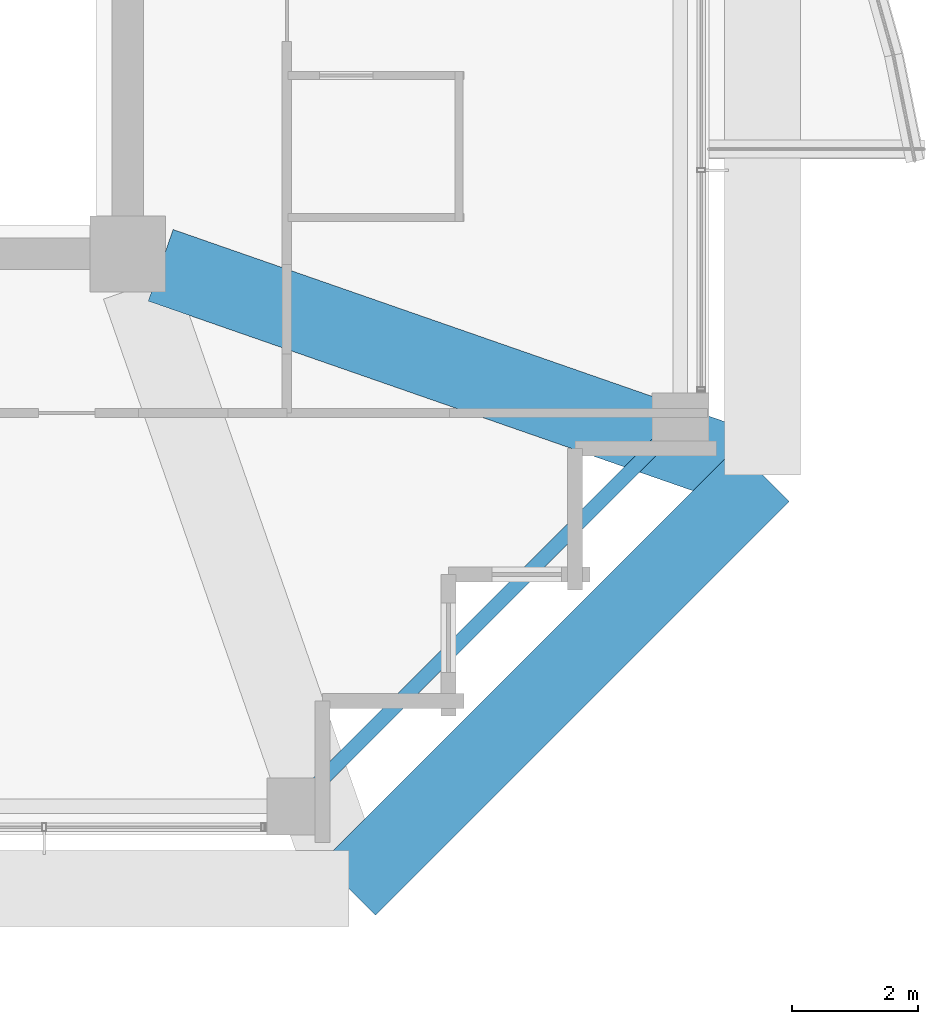
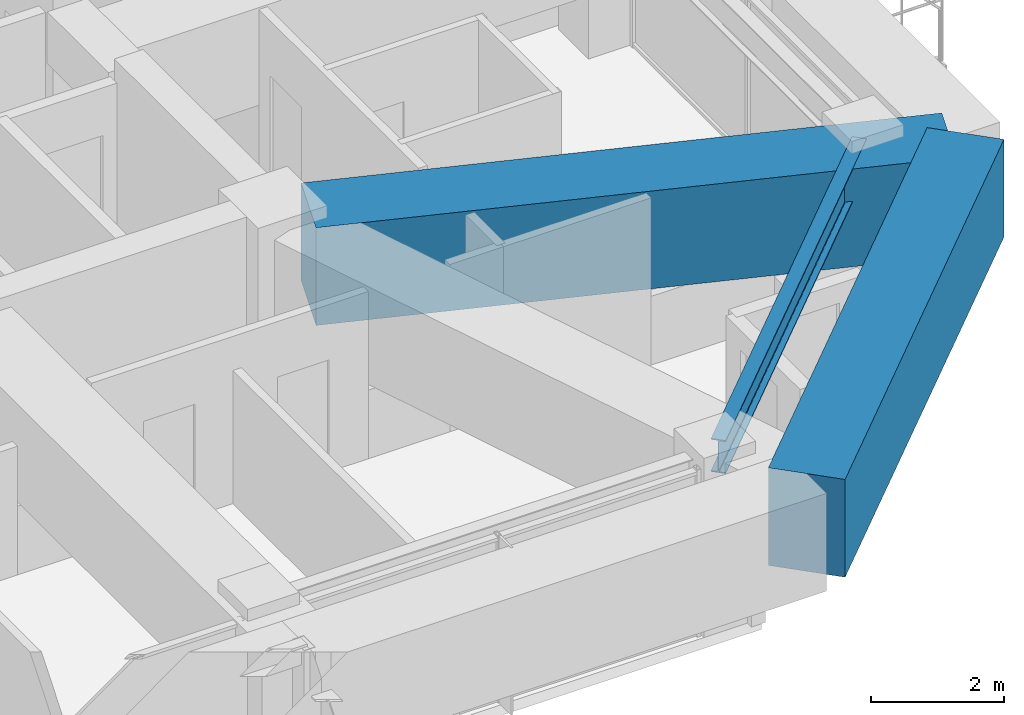
# One storey, part 16 of 40: 3 beams.
"""IFC4 building model written with IfcOpenShell, lengths in metres."""

from ifc_helpers import new_model, si_unit, direction, frame, origin, origin_2d, place, context, subcontext, project, spatial, rectangle, i_section, extrude, material, material_profile, profile_set, type_object, element, save


model = new_model("IFC4")

# Units and contexts
model_context = context("Model", 3, precision=1e-05, world=origin(), true_north=direction((0.0, 1.0)))
body_context = subcontext(model_context, "Body", "Model", "MODEL_VIEW")
ifc_project = project(units=[si_unit("LENGTHUNIT", "METRE"), si_unit("AREAUNIT", "SQUARE_METRE"), si_unit("VOLUMEUNIT", "CUBIC_METRE"), si_unit("PLANEANGLEUNIT", "RADIAN"), si_unit("MASSUNIT", "GRAM", prefix="KILO")], contexts=[model_context])

# Site, building, storey
site_placement = place(None, origin())
site = spatial("IfcSite", under=ifc_project, at=site_placement, CompositionType="ELEMENT")
building_placement = place(site_placement, origin())
building = spatial("IfcBuilding", under=site, at=building_placement, Name="Kolvaren Belvedere", CompositionType="ELEMENT")
storey_placement = place(building_placement, frame((0.0, 0.0, 170.10009765625)))
storey = spatial("IfcBuildingStorey", under=building, at=storey_placement, Name="L49", CompositionType="ELEMENT", Elevation=170.10009765625)

# Beams
ifc_material_1 = material(Name="Structural steel ASTM A992 Grade 50", Category="steel")
ifc_material_profile_1 = material_profile(ifc_material_1, i_section(OverallWidth=0.22900390625, OverallDepth=0.612060546875, WebThickness=0.011962890625, FlangeThickness=0.01953125, FilletRadius=0.01806640625, at=origin_2d()), Name="W24X84")
ifc_profile_set_1 = profile_set([ifc_material_profile_1], Name="Structural steel ASTM A992 Grade 50")
beam_type_1 = type_object("IfcBeamType", Name="BM-SPAN-W24X84", PredefinedType="SPANDREL", material=ifc_profile_set_1)
beam_1_placement = place(storey_placement, frame((12.693115234375, -18.5068359375, 2.77392578125), z_axis=(0.707106781187, 0.707106781187, 0.0), x_axis=(-0.707106781187, 0.707106781187, 0.0)))
element("IfcBeam", 1, at=beam_1_placement, inside=storey, type_object=beam_type_1, Name="L49 Perimeter Spandrel S4-E1", PredefinedType="SPANDREL", context=body_context, shape_type="SweptSolid", body=[
    extrude(i_section(OverallWidth=0.22900390625, OverallDepth=0.612060546875, WebThickness=0.011962890625, FlangeThickness=0.01953125, FilletRadius=0.01806640625, at=origin_2d()), origin(), (0.0, 0.0, 1.0), 8.221923828125),
])
ifc_material_2 = material(Name="Concrete C50/60", Category="concrete")
ifc_material_profile_2 = material_profile(ifc_material_2, rectangle(XDim=1.199951171875, YDim=1.800048828125, at=origin_2d()), Name="RC 1200X1800")
ifc_profile_set_2 = profile_set([ifc_material_profile_2], Name="Concrete C50/60")
beam_type_2 = type_object("IfcBeamType", Name="BM-TG-1800", PredefinedType="BEAM", material=ifc_profile_set_2)
beam_2_placement = place(storey_placement, frame((13.39990234375, -19.949951171875, 2.179931640625), z_axis=(0.707106781187, 0.707106781187, 0.0), x_axis=(-0.707106781187, 0.707106781187, 0.0)))
element("IfcBeam", 2, at=beam_2_placement, inside=storey, type_object=beam_type_2, Name="L49 Step Transfer Ring Girder S4-E1", PredefinedType="BEAM", context=body_context, shape_type="SweptSolid", body=[
    extrude(rectangle(XDim=1.199951171875, YDim=1.800048828125, at=origin_2d()), origin(), (0.0, 0.0, 1.0), 9.26318359375),
])
beam_3_placement = place(storey_placement, frame((10.41943359375, -10.080810546875, 2.179931640625), z_axis=(0.944363863132, -0.328902560054, 0.0), x_axis=(0.328902560054, 0.944363863132, 0.0)))
element("IfcBeam", 3, at=beam_3_placement, inside=storey, type_object=beam_type_2, Name="L49 Corner Core-to-Perimeter Girder CC2-E1", PredefinedType="BEAM", context=body_context, shape_type="SweptSolid", body=[
    extrude(rectangle(XDim=1.199951171875, YDim=1.800048828125, at=origin_2d()), origin(), (0.0, 0.0, 1.0), 9.842041015625),
])

save(model, "model.ifc")
